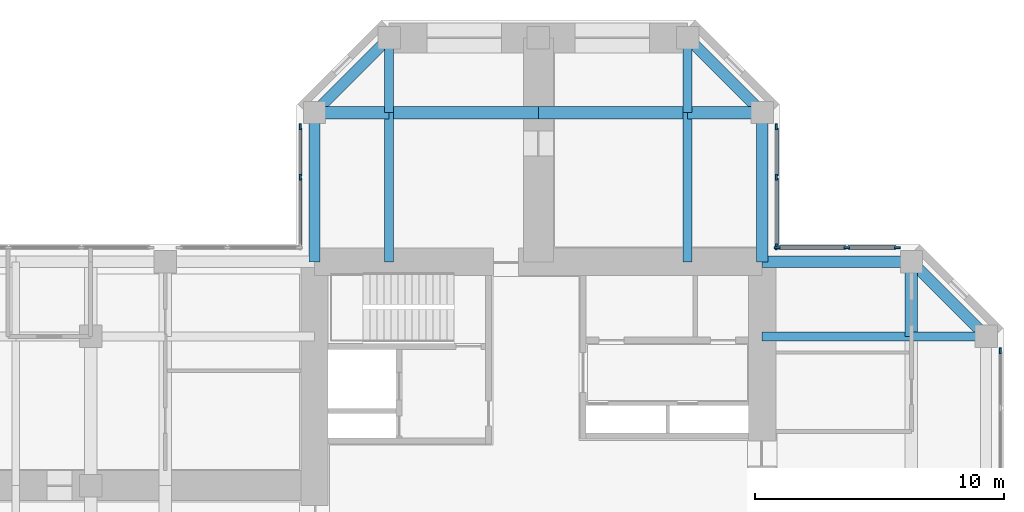
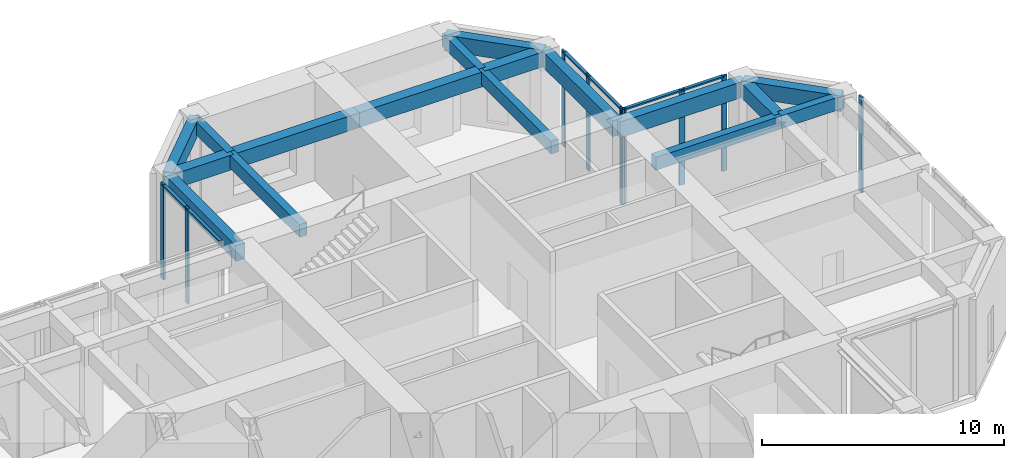
# One storey, part 4 of 10: 17 beams, 15 members, 4 elements without a shape of their own.
"""IFC4 building model written with IfcOpenShell, lengths in metres."""

from ifc_helpers import new_model, si_unit, direction, frame, origin, origin_2d, place, context, subcontext, project, spatial, rectangle, extrude, material, material_profile, profile_set, type_object, element, aggregate, save


model = new_model("IFC4")

# Units and contexts
model_context = context("Model", 3, precision=1e-05, world=origin(), true_north=direction((0.0, 1.0)))
body_context = subcontext(model_context, "Body", "Model", "MODEL_VIEW")
ifc_project = project(units=[si_unit("LENGTHUNIT", "METRE"), si_unit("AREAUNIT", "SQUARE_METRE"), si_unit("VOLUMEUNIT", "CUBIC_METRE"), si_unit("PLANEANGLEUNIT", "RADIAN"), si_unit("MASSUNIT", "GRAM", prefix="KILO")], contexts=[model_context])

# Site, building, storey
site_placement = place(None, origin())
site = spatial("IfcSite", under=ifc_project, at=site_placement, CompositionType="ELEMENT")
building_placement = place(site_placement, origin())
building = spatial("IfcBuilding", under=site, at=building_placement, Name="Torre Cruceta", CompositionType="ELEMENT")
storey_placement = place(building_placement, frame((0.0, 0.0, 217.10009765625)))
storey = spatial("IfcBuildingStorey", under=building, at=storey_placement, Name="L55", CompositionType="ELEMENT", Elevation=217.10009765625)

# Beams
ifc_material_1 = material(Name="Concrete G60 (fck 60 MPa)", Category="concrete")
ifc_material_profile_1 = material_profile(ifc_material_1, rectangle(XDim=0.35009765625, YDim=0.64990234375, at=origin_2d()), Name="RC 350X650")
ifc_profile_set_1 = profile_set([ifc_material_profile_1], Name="Concrete G60 (fck 60 MPa)")
beam_type_1 = type_object("IfcBeamType", Name="COLUMN LINE BEAM RC 350X650", PredefinedType="BEAM", material=ifc_profile_set_1)
beam_1_placement = place(storey_placement, frame((6.0, 9.0, 4.494873046875), z_axis=(0.0, 1.0, 0.0), x_axis=(-1.0, 0.0, 0.0)))
element("IfcBeam", 1, at=beam_1_placement, inside=storey, type_object=beam_type_1, Name="LB7 L55 N col- 1", PredefinedType="BEAM", context=body_context, shape_type="SweptSolid", body=[
    extrude(rectangle(XDim=0.35009765625, YDim=0.64990234375, at=origin_2d()), origin(), (0.0, 0.0, 1.0), 6.0),
])
beam_2_placement = place(storey_placement, frame((6.0, 15.0, 4.494873046875), z_axis=(0.0, 1.0, 0.0), x_axis=(-1.0, 0.0, 0.0)))
element("IfcBeam", 2, at=beam_2_placement, inside=storey, type_object=beam_type_1, Name="LB7 L55 N col- 2", PredefinedType="BEAM", context=body_context, shape_type="SweptSolid", body=[
    extrude(rectangle(XDim=0.35009765625, YDim=0.64990234375, at=origin_2d()), origin(), (0.0, 0.0, 1.0), 3.0),
])
beam_3_placement = place(storey_placement, frame((-6.0, 9.0, 4.494873046875), z_axis=(0.0, 1.0, 0.0), x_axis=(-1.0, 0.0, 0.0)))
element("IfcBeam", 3, at=beam_3_placement, inside=storey, type_object=beam_type_1, Name="LB7 L55 N col+ 1", PredefinedType="BEAM", context=body_context, shape_type="SweptSolid", body=[
    extrude(rectangle(XDim=0.35009765625, YDim=0.64990234375, at=origin_2d()), origin(), (0.0, 0.0, 1.0), 6.0),
])
beam_4_placement = place(storey_placement, frame((-6.0, 15.0, 4.494873046875), z_axis=(0.0, 1.0, 0.0), x_axis=(-1.0, 0.0, 0.0)))
element("IfcBeam", 4, at=beam_4_placement, inside=storey, type_object=beam_type_1, Name="LB7 L55 N col+ 2", PredefinedType="BEAM", context=body_context, shape_type="SweptSolid", body=[
    extrude(rectangle(XDim=0.35009765625, YDim=0.64990234375, at=origin_2d()), origin(), (0.0, 0.0, 1.0), 3.0),
])
beam_5_placement = place(storey_placement, frame((9.0, 6.0, 4.494873046875), z_axis=(1.0, 0.0, 0.0), x_axis=(0.0, 1.0, 0.0)))
element("IfcBeam", 5, at=beam_5_placement, inside=storey, type_object=beam_type_1, Name="LB7 L55 E col+ 1", PredefinedType="BEAM", context=body_context, shape_type="SweptSolid", body=[
    extrude(rectangle(XDim=0.35009765625, YDim=0.64990234375, at=origin_2d()), origin(), (0.0, 0.0, 1.0), 6.0),
])
beam_6_placement = place(storey_placement, frame((15.0, 6.0, 4.494873046875), z_axis=(1.0, 0.0, 0.0), x_axis=(0.0, 1.0, 0.0)))
element("IfcBeam", 6, at=beam_6_placement, inside=storey, type_object=beam_type_1, Name="LB7 L55 E col+ 2", PredefinedType="BEAM", context=body_context, shape_type="SweptSolid", body=[
    extrude(rectangle(XDim=0.35009765625, YDim=0.64990234375, at=origin_2d()), origin(), (0.0, 0.0, 1.0), 3.0),
])
ifc_material_2 = material(Name="Concrete G60 (fck 60 MPa)", Category="concrete")
ifc_material_profile_2 = material_profile(ifc_material_2, rectangle(XDim=0.5, YDim=0.75, at=origin_2d()), Name="RC 500X750")
ifc_profile_set_2 = profile_set([ifc_material_profile_2], Name="Concrete G60 (fck 60 MPa)")
beam_type_2 = type_object("IfcBeamType", Name="CROSS BEAM RC 500X750", PredefinedType="BEAM", material=ifc_profile_set_2)
beam_7_placement = place(storey_placement, frame((9.0, 15.0, 4.44482421875), z_axis=(-1.0, 0.0, 0.0), x_axis=(0.0, -1.0, 0.0)))
element("IfcBeam", 7, at=beam_7_placement, inside=storey, type_object=beam_type_2, Name="GB6 L55 N cross15 1", PredefinedType="BEAM", context=body_context, shape_type="SweptSolid", body=[
    extrude(rectangle(XDim=0.5, YDim=0.75, at=origin_2d()), origin(), (0.0, 0.0, 1.0), 3.0),
])
for number, where, z_axis, x_axis, name in (
    (8, (6.0, 15.0, 4.44482421875), (-1.0, 0.0, 0.0), (0.0, -1.0, 0.0), "GB6 L55 N cross15 2"),
    (9, (0.0, 15.0, 4.44482421875), (-1.0, 0.0, 0.0), (0.0, -1.0, 0.0), "GB6 L55 N cross15 3"),
):
    element("IfcBeam", number, at=place(storey_placement, frame(where, z_axis=z_axis, x_axis=x_axis)), inside=storey, type_object=beam_type_2, Name=name, PredefinedType="BEAM", context=body_context, shape_type="SweptSolid", body=[
        extrude(rectangle(XDim=0.5, YDim=0.75, at=origin_2d()), origin(), (0.0, 0.0, 1.0), 6.0),
    ])
for number, where, z_axis, x_axis, name in (
    (10, (-6.0, 15.0, 4.44482421875), (-1.0, 0.0, 0.0), (0.0, -1.0, 0.0), "GB6 L55 N cross15 4"),
    (11, (15.0, 6.0, 4.44482421875), (0.0, 1.0, 0.0), (-1.0, 0.0, 0.0), "GB6 L55 E cross15 4"),
):
    element("IfcBeam", number, at=place(storey_placement, frame(where, z_axis=z_axis, x_axis=x_axis)), inside=storey, type_object=beam_type_2, Name=name, PredefinedType="BEAM", context=body_context, shape_type="SweptSolid", body=[
        extrude(rectangle(XDim=0.5, YDim=0.75, at=origin_2d()), origin(), (0.0, 0.0, 1.0), 3.0),
    ])

# Curtain wall, member
ifc_material_3 = material(Name="Aluminium unitised curtain wall", Category="aluminium")
curtain_wall_type = type_object("IfcCurtainWallType", Name="CURTAIN WALL CW-S SKY GARDEN", PredefinedType="USERDEFINED", material=ifc_material_3)
curtain_wall_1_placement = place(storey_placement, origin())
curtain_wall_1 = element("IfcCurtainWall", 12, at=curtain_wall_1_placement, inside=storey, type_object=curtain_wall_type, Name="CW-S L55 E tip 02", ObjectType="UNITISED", PredefinedType="USERDEFINED")
ifc_material_4 = material(Name="Aluminium mullion", Category="aluminium")
ifc_material_profile_3 = material_profile(ifc_material_4, rectangle(XDim=0.080078125, YDim=0.25, at=origin_2d()), Name="AL 80X250")
ifc_profile_set_3 = profile_set([ifc_material_profile_3], Name="Aluminium mullion")
member_type_1 = type_object("IfcMemberType", Name="CW-S MULLION 80X250", PredefinedType="MULLION", material=ifc_profile_set_3)
member_1_placement = place(storey_placement, frame((18.570068359375, 5.424072265625, 0.0), z_axis=(0.0, 0.0, 1.0), x_axis=(-1.0, 0.0, 0.0)))
member_1 = element("IfcMember", 13, at=member_1_placement, type_object=member_type_1, Name="CW-S mullion 6", PredefinedType="MULLION", context=body_context, shape_type="SweptSolid", body=[
    extrude(rectangle(XDim=0.080078125, YDim=0.25, at=origin_2d()), origin(), (0.0, 0.0, 1.0), 4.81982421875),
])
aggregate(curtain_wall_1, [member_1])

# Curtain wall, members
curtain_wall_2_placement = place(storey_placement, origin())
curtain_wall_2 = element("IfcCurtainWall", 14, at=curtain_wall_2_placement, inside=storey, type_object=curtain_wall_type, Name="CW-S L55 E side 04", ObjectType="UNITISED", PredefinedType="USERDEFINED")
member_2_placement = place(storey_placement, frame((14.424072265625, 9.570068359375, 0.0), z_axis=(0.0, 0.0, 1.0), x_axis=(0.0, -1.0, 0.0)))
member_2 = element("IfcMember", 15, at=member_2_placement, type_object=member_type_1, Name="CW-S mullion 1", PredefinedType="MULLION", context=body_context, shape_type="SweptSolid", body=[
    extrude(rectangle(XDim=0.080078125, YDim=0.25, at=origin_2d()), origin(), (0.0, 0.0, 1.0), 4.81982421875),
])
member_3_placement = place(storey_placement, frame((12.403076171875, 9.570068359375, 0.0), z_axis=(0.0, 0.0, 1.0), x_axis=(0.0, -1.0, 0.0)))
member_3 = element("IfcMember", 16, at=member_3_placement, type_object=member_type_1, Name="CW-S mullion 2", PredefinedType="MULLION", context=body_context, shape_type="SweptSolid", body=[
    extrude(rectangle(XDim=0.080078125, YDim=0.25, at=origin_2d()), origin(), (0.0, 0.0, 1.0), 4.81982421875),
])
member_4_placement = place(storey_placement, frame((9.610107421875, 9.570068359375, 0.0), z_axis=(0.0, 0.0, 1.0), x_axis=(0.0, -1.0, 0.0)))
member_4 = element("IfcMember", 17, at=member_4_placement, type_object=member_type_1, Name="CW-S mullion 3", PredefinedType="MULLION", context=body_context, shape_type="SweptSolid", body=[
    extrude(rectangle(XDim=0.080078125, YDim=0.25, at=origin_2d()), origin(), (0.0, 0.0, 1.0), 4.81982421875),
])

curtain_wall_3_placement = place(storey_placement, origin())
curtain_wall_3 = element("IfcCurtainWall", 18, at=curtain_wall_3_placement, inside=storey, type_object=curtain_wall_type, Name="CW-S L55 N side 05", ObjectType="UNITISED", PredefinedType="USERDEFINED")
member_5_placement = place(storey_placement, frame((9.570068359375, 9.610107421875, 0.0), z_axis=(0.0, 0.0, 1.0), x_axis=(-1.0, 0.0, 0.0)))
member_5 = element("IfcMember", 19, at=member_5_placement, type_object=member_type_1, Name="CW-S mullion 1", PredefinedType="MULLION", context=body_context, shape_type="SweptSolid", body=[
    extrude(rectangle(XDim=0.080078125, YDim=0.25, at=origin_2d()), origin(), (0.0, 0.0, 1.0), 4.81982421875),
])
member_6_placement = place(storey_placement, frame((9.570068359375, 12.403076171875, 0.0), z_axis=(0.0, 0.0, 1.0), x_axis=(-1.0, 0.0, 0.0)))
member_6 = element("IfcMember", 20, at=member_6_placement, type_object=member_type_1, Name="CW-S mullion 2", PredefinedType="MULLION", context=body_context, shape_type="SweptSolid", body=[
    extrude(rectangle(XDim=0.080078125, YDim=0.25, at=origin_2d()), origin(), (0.0, 0.0, 1.0), 4.81982421875),
])
member_7_placement = place(storey_placement, frame((9.570068359375, 14.424072265625, 0.0), z_axis=(0.0, 0.0, 1.0), x_axis=(-1.0, 0.0, 0.0)))
member_7 = element("IfcMember", 21, at=member_7_placement, type_object=member_type_1, Name="CW-S mullion 3", PredefinedType="MULLION", context=body_context, shape_type="SweptSolid", body=[
    extrude(rectangle(XDim=0.080078125, YDim=0.25, at=origin_2d()), origin(), (0.0, 0.0, 1.0), 4.81982421875),
])

curtain_wall_4_placement = place(storey_placement, origin())
curtain_wall_4 = element("IfcCurtainWall", 22, at=curtain_wall_4_placement, inside=storey, type_object=curtain_wall_type, Name="CW-S L55 N side 09", ObjectType="UNITISED", PredefinedType="USERDEFINED")
member_8_placement = place(storey_placement, frame((-9.570068359375, 14.424072265625, 0.0), z_axis=(0.0, 0.0, 1.0), x_axis=(1.0, 0.0, 0.0)))
member_8 = element("IfcMember", 23, at=member_8_placement, type_object=member_type_1, Name="CW-S mullion 1", PredefinedType="MULLION", context=body_context, shape_type="SweptSolid", body=[
    extrude(rectangle(XDim=0.080078125, YDim=0.25, at=origin_2d()), origin(), (0.0, 0.0, 1.0), 4.81982421875),
])
member_9_placement = place(storey_placement, frame((-9.570068359375, 12.403076171875, 0.0), z_axis=(0.0, 0.0, 1.0), x_axis=(1.0, 0.0, 0.0)))
member_9 = element("IfcMember", 24, at=member_9_placement, type_object=member_type_1, Name="CW-S mullion 2", PredefinedType="MULLION", context=body_context, shape_type="SweptSolid", body=[
    extrude(rectangle(XDim=0.080078125, YDim=0.25, at=origin_2d()), origin(), (0.0, 0.0, 1.0), 4.81982421875),
])

# Member
ifc_material_5 = material(Name="Aluminium transom", Category="aluminium")
ifc_material_profile_4 = material_profile(ifc_material_5, rectangle(XDim=0.14990234375, YDim=0.080078125, at=origin_2d()), Name="AL 150X80")
ifc_profile_set_4 = profile_set([ifc_material_profile_4], Name="Aluminium transom")
member_type_2 = type_object("IfcMemberType", Name="CW-S TRANSOM 80X150", PredefinedType="USERDEFINED", material=ifc_profile_set_4)
member_10_placement = place(storey_placement, frame((14.384033203125, 9.570068359375, 4.77978515625), z_axis=(-1.0, 0.0, 0.0), x_axis=(0.0, -1.0, 0.0)))
member_10 = element("IfcMember", 25, at=member_10_placement, type_object=member_type_2, Name="CW-S transom 1", ObjectType="TRANSOM", PredefinedType="USERDEFINED", context=body_context, shape_type="SweptSolid", body=[
    extrude(rectangle(XDim=0.14990234375, YDim=0.080078125, at=origin_2d()), origin(), (0.0, 0.0, 1.0), 1.94091796875),
])

member_11_placement = place(storey_placement, frame((12.363037109375, 9.570068359375, 4.77978515625), z_axis=(-1.0, 0.0, 0.0), x_axis=(0.0, -1.0, 0.0)))
member_11 = element("IfcMember", 26, at=member_11_placement, type_object=member_type_2, Name="CW-S transom 2", ObjectType="TRANSOM", PredefinedType="USERDEFINED", context=body_context, shape_type="SweptSolid", body=[
    extrude(rectangle(XDim=0.14990234375, YDim=0.080078125, at=origin_2d()), origin(), (0.0, 0.0, 1.0), 2.713134765625),
])

aggregate(curtain_wall_2, [member_2, member_3, member_4, member_10, member_11])

member_12_placement = place(storey_placement, frame((9.570068359375, 9.64990234375, 4.77978515625), z_axis=(0.0, 1.0, 0.0), x_axis=(-1.0, 0.0, 0.0)))
member_12 = element("IfcMember", 27, at=member_12_placement, type_object=member_type_2, Name="CW-S transom 1", ObjectType="TRANSOM", PredefinedType="USERDEFINED", context=body_context, shape_type="SweptSolid", body=[
    extrude(rectangle(XDim=0.14990234375, YDim=0.080078125, at=origin_2d()), origin(), (0.0, 0.0, 1.0), 2.713134765625),
])

member_13_placement = place(storey_placement, frame((9.570068359375, 12.443115234375, 4.77978515625), z_axis=(0.0, 1.0, 0.0), x_axis=(-1.0, 0.0, 0.0)))
member_13 = element("IfcMember", 28, at=member_13_placement, type_object=member_type_2, Name="CW-S transom 2", ObjectType="TRANSOM", PredefinedType="USERDEFINED", context=body_context, shape_type="SweptSolid", body=[
    extrude(rectangle(XDim=0.14990234375, YDim=0.080078125, at=origin_2d()), origin(), (0.0, 0.0, 1.0), 1.94091796875),
])

aggregate(curtain_wall_3, [member_5, member_6, member_7, member_12, member_13])

member_14_placement = place(storey_placement, frame((-9.570068359375, 14.384033203125, 4.77978515625), z_axis=(0.0, -1.0, 0.0), x_axis=(1.0, 0.0, 0.0)))
member_14 = element("IfcMember", 29, at=member_14_placement, type_object=member_type_2, Name="CW-S transom 1", ObjectType="TRANSOM", PredefinedType="USERDEFINED", context=body_context, shape_type="SweptSolid", body=[
    extrude(rectangle(XDim=0.14990234375, YDim=0.080078125, at=origin_2d()), origin(), (0.0, 0.0, 1.0), 1.94091796875),
])

member_15_placement = place(storey_placement, frame((-9.570068359375, 12.363037109375, 4.77978515625), z_axis=(0.0, -1.0, 0.0), x_axis=(1.0, 0.0, 0.0)))
member_15 = element("IfcMember", 30, at=member_15_placement, type_object=member_type_2, Name="CW-S transom 2", ObjectType="TRANSOM", PredefinedType="USERDEFINED", context=body_context, shape_type="SweptSolid", body=[
    extrude(rectangle(XDim=0.14990234375, YDim=0.080078125, at=origin_2d()), origin(), (0.0, 0.0, 1.0), 2.713134765625),
])

aggregate(curtain_wall_4, [member_8, member_9, member_14, member_15])

# Beams
ifc_material_6 = material(Name="Concrete G60 (fck 60 MPa)", Category="concrete")
ifc_material_profile_5 = material_profile(ifc_material_6, rectangle(XDim=0.449951171875, YDim=0.800048828125, at=origin_2d()), Name="RC 450X800")
ifc_profile_set_5 = profile_set([ifc_material_profile_5], Name="Concrete G60 (fck 60 MPa)")
beam_type_3 = type_object("IfcBeamType", Name="SPANDREL BEAM RC 450X800", PredefinedType="SPANDREL", material=ifc_profile_set_5)
beam_8_placement = place(storey_placement, frame((9.0, 9.0, 4.419921875), z_axis=(0.0, 1.0, 0.0), x_axis=(-1.0, 0.0, 0.0)))
element("IfcBeam", 31, at=beam_8_placement, inside=storey, type_object=beam_type_3, Name="SB6 L55 N side- 1", PredefinedType="SPANDREL", context=body_context, shape_type="SweptSolid", body=[
    extrude(rectangle(XDim=0.449951171875, YDim=0.800048828125, at=origin_2d()), origin(), (0.0, 0.0, 1.0), 6.0),
])
beam_9_placement = place(storey_placement, frame((9.0, 15.0, 4.419921875), z_axis=(-0.707106781187, 0.707106781187, 0.0), x_axis=(-0.707106781187, -0.707106781187, 0.0)))
element("IfcBeam", 32, at=beam_9_placement, inside=storey, type_object=beam_type_3, Name="SB6 L55 N side- 2", PredefinedType="SPANDREL", context=body_context, shape_type="SweptSolid", body=[
    extrude(rectangle(XDim=0.449951171875, YDim=0.800048828125, at=origin_2d()), origin(), (0.0, 0.0, 1.0), 4.24267578125),
])
beam_10_placement = place(storey_placement, frame((-9.0, 9.0, 4.419921875), z_axis=(0.0, 1.0, 0.0), x_axis=(-1.0, 0.0, 0.0)))
element("IfcBeam", 33, at=beam_10_placement, inside=storey, type_object=beam_type_3, Name="SB6 L55 N side+ 1", PredefinedType="SPANDREL", context=body_context, shape_type="SweptSolid", body=[
    extrude(rectangle(XDim=0.449951171875, YDim=0.800048828125, at=origin_2d()), origin(), (0.0, 0.0, 1.0), 6.0),
])
beam_11_placement = place(storey_placement, frame((-9.0, 15.0, 4.419921875), z_axis=(0.707106781187, 0.707106781187, 0.0), x_axis=(-0.707106781187, 0.707106781187, 0.0)))
element("IfcBeam", 34, at=beam_11_placement, inside=storey, type_object=beam_type_3, Name="SB6 L55 N side+ 2", PredefinedType="SPANDREL", context=body_context, shape_type="SweptSolid", body=[
    extrude(rectangle(XDim=0.449951171875, YDim=0.800048828125, at=origin_2d()), origin(), (0.0, 0.0, 1.0), 4.24267578125),
])
beam_12_placement = place(storey_placement, frame((9.0, 9.0, 4.419921875), z_axis=(1.0, 0.0, 0.0), x_axis=(0.0, 1.0, 0.0)))
element("IfcBeam", 35, at=beam_12_placement, inside=storey, type_object=beam_type_3, Name="SB6 L55 E side+ 1", PredefinedType="SPANDREL", context=body_context, shape_type="SweptSolid", body=[
    extrude(rectangle(XDim=0.449951171875, YDim=0.800048828125, at=origin_2d()), origin(), (0.0, 0.0, 1.0), 6.0),
])
beam_13_placement = place(storey_placement, frame((15.0, 9.0, 4.419921875), z_axis=(0.707106781187, -0.707106781187, 0.0), x_axis=(0.707106781187, 0.707106781187, 0.0)))
element("IfcBeam", 36, at=beam_13_placement, inside=storey, type_object=beam_type_3, Name="SB6 L55 E side+ 2", PredefinedType="SPANDREL", context=body_context, shape_type="SweptSolid", body=[
    extrude(rectangle(XDim=0.449951171875, YDim=0.800048828125, at=origin_2d()), origin(), (0.0, 0.0, 1.0), 4.24267578125),
])

save(model, "model.ifc")
